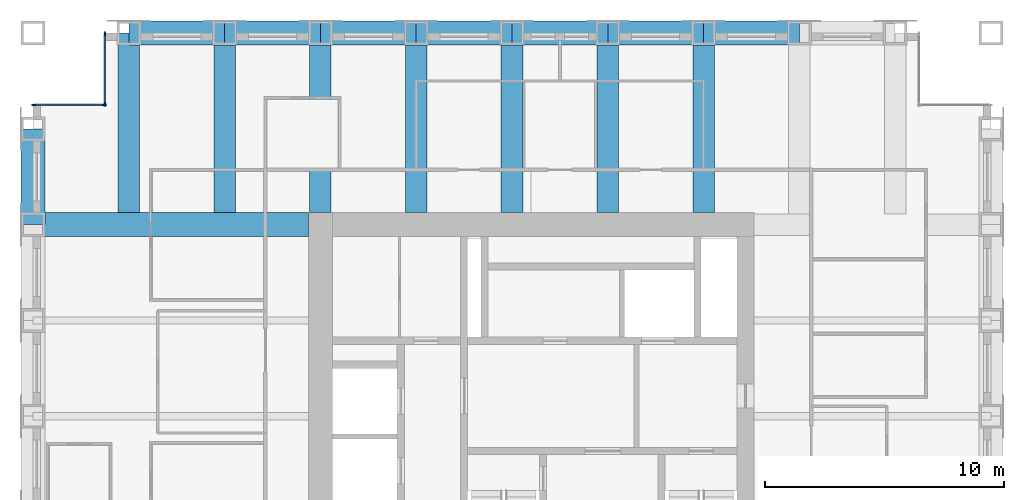
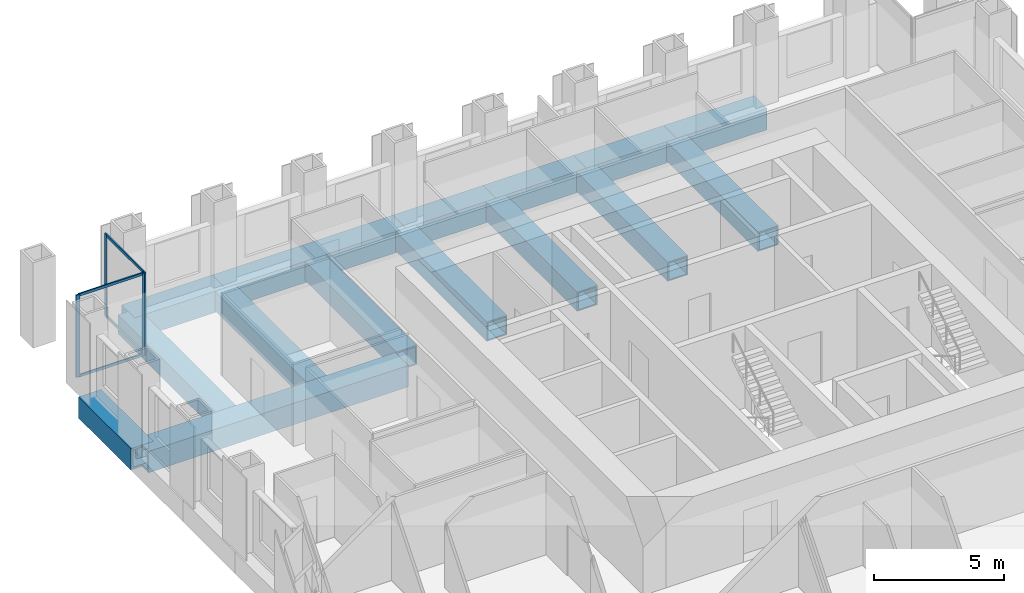
# One storey, part 5 of 13: 16 beams, 8 members, 2 elements without a shape of their own.
"""IFC4 building model written with IfcOpenShell, lengths in metres."""

from ifc_helpers import new_model, si_unit, direction, frame, origin, origin_2d, place, context, subcontext, project, spatial, rectangle, hollow_rectangle, extrude, material, material_profile, profile_set, type_object, element, aggregate, save


model = new_model("IFC4")

# Units and contexts
model_context = context("Model", 3, precision=1e-05, world=origin(), true_north=direction((0.0, 1.0)))
body_context = subcontext(model_context, "Body", "Model", "MODEL_VIEW")
ifc_project = project(units=[si_unit("LENGTHUNIT", "METRE"), si_unit("AREAUNIT", "SQUARE_METRE"), si_unit("VOLUMEUNIT", "CUBIC_METRE"), si_unit("PLANEANGLEUNIT", "RADIAN"), si_unit("MASSUNIT", "GRAM", prefix="KILO")], contexts=[model_context])

# Site, building, storey
site_placement = place(None, origin())
site = spatial("IfcSite", under=ifc_project, at=site_placement, CompositionType="ELEMENT")
building_placement = place(site_placement, origin())
building = spatial("IfcBuilding", under=site, at=building_placement, Name="Rimbunsela Tower", CompositionType="ELEMENT")
storey_placement = place(building_placement, frame((0.0, 0.0, 286.199951171875)))
storey = spatial("IfcBuildingStorey", under=building, at=storey_placement, Name="L69", CompositionType="ELEMENT", Elevation=286.199951171875)

# Beams
ifc_material_1 = material(Name="Steel BJ 55 (fy 410 MPa)", Category="steel")
ifc_material_profile_1 = material_profile(ifc_material_1, hollow_rectangle(XDim=1.0, YDim=1.0, WallThickness=0.10009765625, at=origin_2d()), Name="BOX 1000x1000x100")
ifc_profile_set_1 = profile_set([ifc_material_profile_1], Name="Steel BJ 55 (fy 410 MPa)")
beam_type_1 = type_object("IfcBeamType", Name="Beam BOX 1000x1000x100", PredefinedType="BEAM", material=ifc_profile_set_1)
beam_1_placement = place(storey_placement, frame((6.0, 36.0, -0.64990234375), z_axis=(0.0, 1.0, 0.0), x_axis=(-1.0, 0.0, 0.0)))
element("IfcBeam", 1, at=beam_1_placement, inside=storey, type_object=beam_type_1, Name="Beam B3 L69", PredefinedType="BEAM", context=body_context, shape_type="SweptSolid", body=[
    extrude(hollow_rectangle(XDim=1.0, YDim=1.0, WallThickness=0.10009765625, at=origin_2d()), origin(), (0.0, 0.0, 1.0), 4.0),
])
beam_2_placement = place(storey_placement, frame((6.0, 36.0, -0.64990234375), z_axis=(1.0, 0.0, 0.0), x_axis=(0.0, 1.0, 0.0)))
element("IfcBeam", 2, at=beam_2_placement, inside=storey, type_object=beam_type_1, Name="Beam B3 L69", PredefinedType="BEAM", context=body_context, shape_type="SweptSolid", body=[
    extrude(hollow_rectangle(XDim=1.0, YDim=1.0, WallThickness=0.10009765625, at=origin_2d()), origin(), (0.0, 0.0, 1.0), 11.5),
])
for number, where, z_axis, x_axis, name in (
    (3, (10.0, 44.0, -0.64990234375), (1.0, 0.0, 0.0), (0.0, 1.0, 0.0), "Beam B3 L69"),
    (4, (14.0, 44.0, -0.64990234375), (1.0, 0.0, 0.0), (0.0, 1.0, 0.0), "Beam B3 L69"),
    (5, (18.0, 44.0, -0.64990234375), (1.0, 0.0, 0.0), (0.0, 1.0, 0.0), "Beam B3 L69"),
    (6, (22.0, 44.0, -0.64990234375), (1.0, 0.0, 0.0), (0.0, 1.0, 0.0), "Beam B3 L69"),
    (7, (26.0, 44.0, -0.64990234375), (1.0, 0.0, 0.0), (0.0, 1.0, 0.0), "Beam B3 L69"),
    (8, (30.0, 44.0, -0.64990234375), (1.0, 0.0, 0.0), (0.0, 1.0, 0.0), "Beam B3 L69"),
    (9, (34.0, 44.0, -0.64990234375), (1.0, 0.0, 0.0), (0.0, 1.0, 0.0), "Beam B3 L69"),
):
    element("IfcBeam", number, at=place(storey_placement, frame(where, z_axis=z_axis, x_axis=x_axis)), inside=storey, type_object=beam_type_1, Name=name, PredefinedType="BEAM", context=body_context, shape_type="SweptSolid", body=[
        extrude(hollow_rectangle(XDim=1.0, YDim=1.0, WallThickness=0.10009765625, at=origin_2d()), origin(), (0.0, 0.0, 1.0), 4.0),
    ])
ifc_material_2 = material(Name="Steel BJ 55 (fy 410 MPa)", Category="steel")
ifc_material_profile_2 = material_profile(ifc_material_2, hollow_rectangle(XDim=0.89990234375, YDim=0.89990234375, WallThickness=0.06005859375, at=origin_2d()), Name="BOX 900x900x60")
ifc_profile_set_2 = profile_set([ifc_material_profile_2], Name="Steel BJ 55 (fy 410 MPa)")
beam_type_2 = type_object("IfcBeamType", Name="Beam BOX 900x900x60", PredefinedType="BEAM", material=ifc_profile_set_2)
for number, where, z_axis, x_axis, name in (
    (10, (10.0, 36.5, -0.599853515625), (0.0, 1.0, 0.0), (-1.0, 0.0, 0.0), "Beam B1 L69"),
    (11, (14.0, 36.5, -0.599853515625), (0.0, 1.0, 0.0), (-1.0, 0.0, 0.0), "Beam B1 L69"),
    (12, (18.0, 36.5, -0.599853515625), (0.0, 1.0, 0.0), (-1.0, 0.0, 0.0), "Beam B1 L69"),
    (13, (22.0, 36.5, -0.599853515625), (0.0, 1.0, 0.0), (-1.0, 0.0, 0.0), "Beam B1 L69"),
    (14, (26.0, 36.5, -0.599853515625), (0.0, 1.0, 0.0), (-1.0, 0.0, 0.0), "Beam B1 L69"),
    (15, (30.0, 36.5, -0.599853515625), (0.0, 1.0, 0.0), (-1.0, 0.0, 0.0), "Beam B1 L69"),
    (16, (34.0, 36.5, -0.599853515625), (0.0, 1.0, 0.0), (-1.0, 0.0, 0.0), "Beam B1 L69"),
):
    element("IfcBeam", number, at=place(storey_placement, frame(where, z_axis=z_axis, x_axis=x_axis)), inside=storey, type_object=beam_type_2, Name=name, PredefinedType="BEAM", context=body_context, shape_type="SweptSolid", body=[
        extrude(hollow_rectangle(XDim=0.89990234375, YDim=0.89990234375, WallThickness=0.06005859375, at=origin_2d()), origin(), (0.0, 0.0, 1.0), 7.5),
    ])

# Curtain wall, members
ifc_material_3 = material(Name="Aluminium curtain wall", Category="aluminium")
curtain_wall_type = type_object("IfcCurtainWallType", Name="Corner glazing", PredefinedType="USERDEFINED", material=ifc_material_3)
curtain_wall_1_placement = place(storey_placement, origin())
curtain_wall_1 = element("IfcCurtainWall", 17, at=curtain_wall_1_placement, inside=storey, type_object=curtain_wall_type, Name="Corner glazing L69", ObjectType="CORNER GLAZING", PredefinedType="USERDEFINED")
ifc_material_4 = material(Name="Aluminium mullion", Category="aluminium")
ifc_material_profile_3 = material_profile(ifc_material_4, rectangle(XDim=0.06005859375, YDim=0.159912109375, at=origin_2d()), Name="Mullion 60x160")
ifc_profile_set_3 = profile_set([ifc_material_profile_3], Name="Aluminium mullion")
member_type_1 = type_object("IfcMemberType", Name="Curtain wall mullion 60x160", PredefinedType="MULLION", material=ifc_profile_set_3)
member_1_placement = place(storey_placement, frame((9.0, 43.969970703125, 0.0), z_axis=(0.0, 0.0, 1.0), x_axis=(1.0, 0.0, 0.0)))
member_1 = element("IfcMember", 18, at=member_1_placement, type_object=member_type_1, Name="CW5 mullion 1", PredefinedType="MULLION", context=body_context, shape_type="SweptSolid", body=[
    extrude(rectangle(XDim=0.06005859375, YDim=0.159912109375, at=origin_2d()), origin(), (0.0, 0.0, 1.0), 3.85009765625),
])
member_2_placement = place(storey_placement, frame((9.0, 41.030029296875, 0.0), z_axis=(0.0, 0.0, 1.0), x_axis=(1.0, 0.0, 0.0)))
member_2 = element("IfcMember", 19, at=member_2_placement, type_object=member_type_1, Name="CW5 mullion 2", PredefinedType="MULLION", context=body_context, shape_type="SweptSolid", body=[
    extrude(rectangle(XDim=0.06005859375, YDim=0.159912109375, at=origin_2d()), origin(), (0.0, 0.0, 1.0), 3.85009765625),
])

curtain_wall_2_placement = place(storey_placement, origin())
curtain_wall_2 = element("IfcCurtainWall", 20, at=curtain_wall_2_placement, inside=storey, type_object=curtain_wall_type, Name="Corner glazing L69", ObjectType="CORNER GLAZING", PredefinedType="USERDEFINED")
member_3_placement = place(storey_placement, frame((8.969970703125, 41.0, 0.0), z_axis=(0.0, 0.0, 1.0), x_axis=(0.0, -1.0, 0.0)))
member_3 = element("IfcMember", 21, at=member_3_placement, type_object=member_type_1, Name="CW5 mullion 1", PredefinedType="MULLION", context=body_context, shape_type="SweptSolid", body=[
    extrude(rectangle(XDim=0.06005859375, YDim=0.159912109375, at=origin_2d()), origin(), (0.0, 0.0, 1.0), 3.85009765625),
])
member_4_placement = place(storey_placement, frame((6.030029296875, 41.0, 0.0), z_axis=(0.0, 0.0, 1.0), x_axis=(0.0, -1.0, 0.0)))
member_4 = element("IfcMember", 22, at=member_4_placement, type_object=member_type_1, Name="CW5 mullion 2", PredefinedType="MULLION", context=body_context, shape_type="SweptSolid", body=[
    extrude(rectangle(XDim=0.06005859375, YDim=0.159912109375, at=origin_2d()), origin(), (0.0, 0.0, 1.0), 3.85009765625),
])

# Member
ifc_material_5 = material(Name="Aluminium transom", Category="aluminium")
ifc_material_profile_4 = material_profile(ifc_material_5, rectangle(XDim=0.06005859375, YDim=0.1201171875, at=origin_2d()), Name="Transom 60x120")
ifc_profile_set_4 = profile_set([ifc_material_profile_4], Name="Aluminium transom")
member_type_2 = type_object("IfcMemberType", Name="Curtain wall transom 60x120", PredefinedType="USERDEFINED", material=ifc_profile_set_4)
member_5_placement = place(storey_placement, frame((9.0, 43.93994140625, 0.030029296875), z_axis=(0.0, -1.0, 0.0), x_axis=(1.0, 0.0, 0.0)))
member_5 = element("IfcMember", 23, at=member_5_placement, type_object=member_type_2, Name="CW5 transom 1.1", ObjectType="TRANSOM", PredefinedType="USERDEFINED", context=body_context, shape_type="SweptSolid", body=[
    extrude(rectangle(XDim=0.06005859375, YDim=0.1201171875, at=origin_2d()), origin(), (0.0, 0.0, 1.0), 2.8798828125),
])

member_6_placement = place(storey_placement, frame((9.0, 43.93994140625, 3.820068359375), z_axis=(0.0, -1.0, 0.0), x_axis=(1.0, 0.0, 0.0)))
member_6 = element("IfcMember", 24, at=member_6_placement, type_object=member_type_2, Name="CW5 transom 1.2", ObjectType="TRANSOM", PredefinedType="USERDEFINED", context=body_context, shape_type="SweptSolid", body=[
    extrude(rectangle(XDim=0.06005859375, YDim=0.1201171875, at=origin_2d()), origin(), (0.0, 0.0, 1.0), 2.8798828125),
])

aggregate(curtain_wall_1, [member_1, member_2, member_5, member_6])

member_7_placement = place(storey_placement, frame((8.93994140625, 41.0, 0.030029296875), z_axis=(-1.0, 0.0, 0.0), x_axis=(0.0, -1.0, 0.0)))
member_7 = element("IfcMember", 25, at=member_7_placement, type_object=member_type_2, Name="CW5 transom 1.1", ObjectType="TRANSOM", PredefinedType="USERDEFINED", context=body_context, shape_type="SweptSolid", body=[
    extrude(rectangle(XDim=0.06005859375, YDim=0.1201171875, at=origin_2d()), origin(), (0.0, 0.0, 1.0), 2.8798828125),
])

member_8_placement = place(storey_placement, frame((8.93994140625, 41.0, 3.820068359375), z_axis=(-1.0, 0.0, 0.0), x_axis=(0.0, -1.0, 0.0)))
member_8 = element("IfcMember", 26, at=member_8_placement, type_object=member_type_2, Name="CW5 transom 1.2", ObjectType="TRANSOM", PredefinedType="USERDEFINED", context=body_context, shape_type="SweptSolid", body=[
    extrude(rectangle(XDim=0.06005859375, YDim=0.1201171875, at=origin_2d()), origin(), (0.0, 0.0, 1.0), 2.8798828125),
])

aggregate(curtain_wall_2, [member_3, member_4, member_7, member_8])

save(model, "model.ifc")
